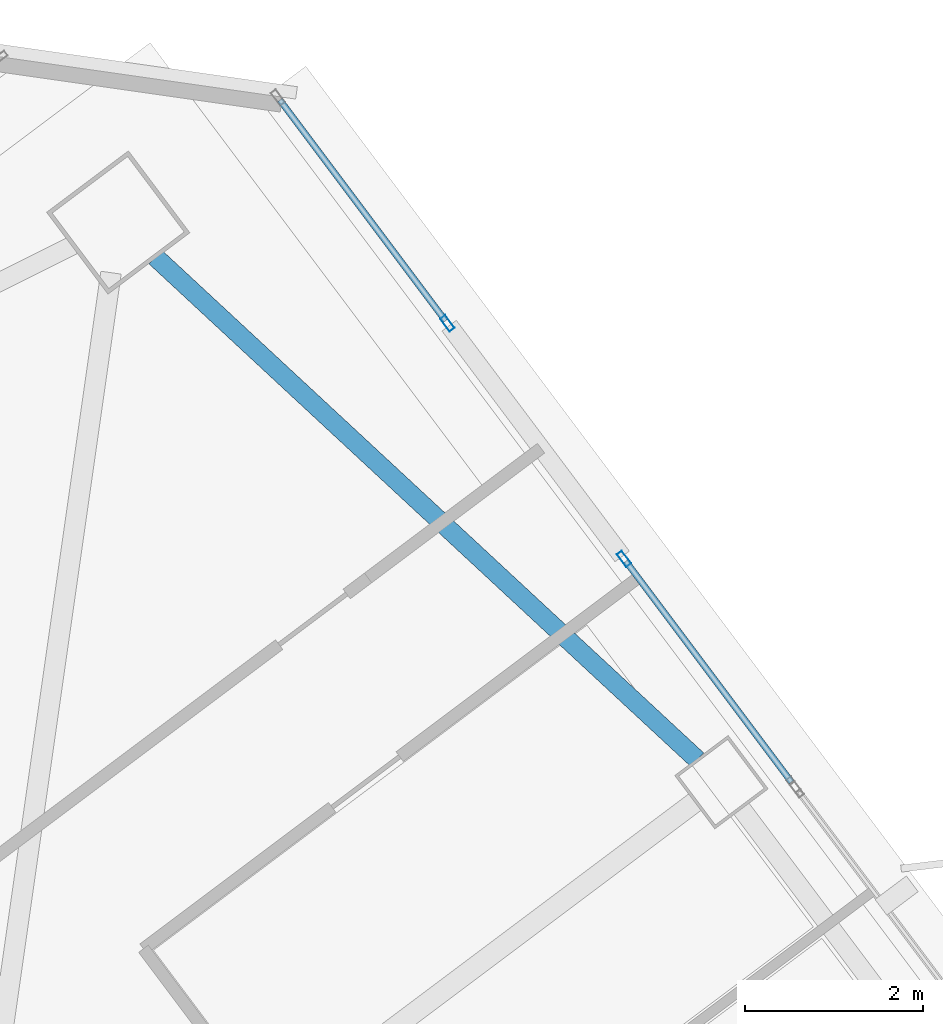
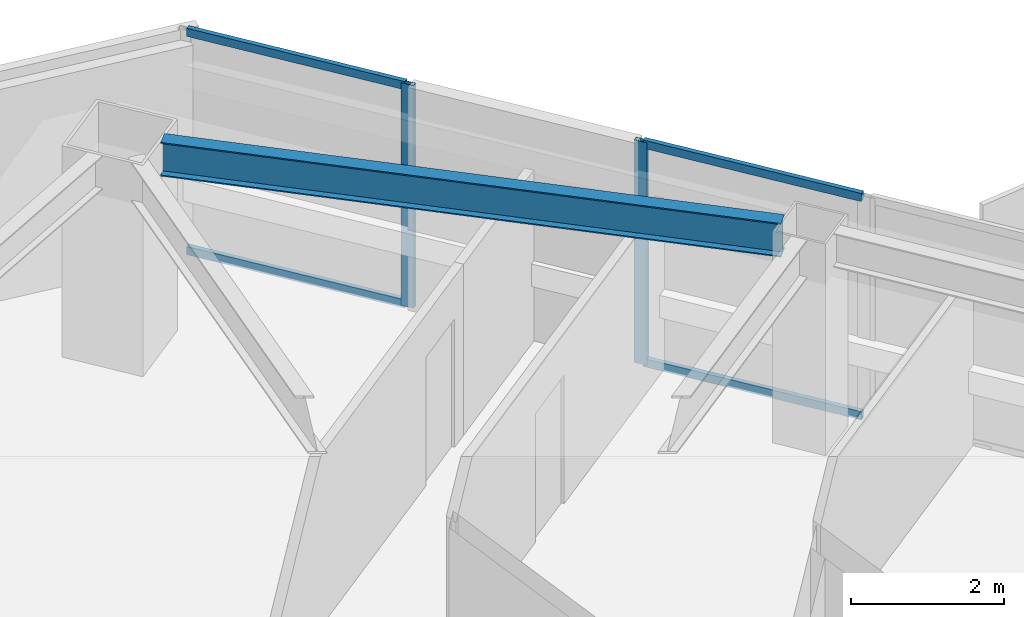
# One storey, part 33 of 46: 6 members, 1 beam, 2 elements without a shape of their own.
"""IFC4 building model written with IfcOpenShell, lengths in metres."""

from ifc_helpers import new_model, si_unit, direction, frame, origin, origin_2d, place, context, subcontext, project, spatial, hollow_rectangle, i_section, extrude, material, material_profile, profile_set, type_object, element, aggregate, save


model = new_model("IFC4")

# Units and contexts
model_context = context("Model", 3, precision=1e-05, world=origin(), true_north=direction((0.0, 1.0)))
body_context = subcontext(model_context, "Body", "Model", "MODEL_VIEW")
ifc_project = project(units=[si_unit("LENGTHUNIT", "METRE"), si_unit("AREAUNIT", "SQUARE_METRE"), si_unit("VOLUMEUNIT", "CUBIC_METRE"), si_unit("PLANEANGLEUNIT", "RADIAN"), si_unit("MASSUNIT", "GRAM", prefix="KILO")], contexts=[model_context])

# Site, building, storey
site_placement = place(None, origin())
site = spatial("IfcSite", under=ifc_project, at=site_placement, CompositionType="ELEMENT")
building_placement = place(site_placement, origin())
building = spatial("IfcBuilding", under=site, at=building_placement, Name="Tashvorn Skyway Center", CompositionType="ELEMENT")
storey_placement = place(building_placement, frame((0.0, 0.0, 167.64990234375)))
storey = spatial("IfcBuildingStorey", under=building, at=storey_placement, Name="L45", CompositionType="ELEMENT", Elevation=167.64990234375)

# Beam
ifc_material_1 = material(Name="Steel ASTM A992 Grade 50", Category="steel")
ifc_material_profile_1 = material_profile(ifc_material_1, i_section(OverallWidth=0.2109375, OverallDepth=0.5390625, WebThickness=0.01171875, FlangeThickness=0.018798828125, at=origin_2d()), Name="W21X73")
ifc_profile_set_1 = profile_set([ifc_material_profile_1], Name="Steel ASTM A992 Grade 50")
beam_type = type_object("IfcBeamType", Name="BM-SPANDREL-W21X73", PredefinedType="SPANDREL", material=ifc_profile_set_1)
beam_placement = place(storey_placement, frame((123.40869140625, 46.26171875, 3.1005859375), z_axis=(-0.733101115618, 0.680119661736, 0.0), x_axis=(-0.680119661736, -0.733101115618, 0.0)))
element("IfcBeam", 1, at=beam_placement, inside=storey, type_object=beam_type, Name="Tower 2 L45 Spandrel Beam 06", PredefinedType="SPANDREL", context=body_context, shape_type="SweptSolid", body=[
    extrude(i_section(OverallWidth=0.2109375, OverallDepth=0.5390625, WebThickness=0.01171875, FlangeThickness=0.018798828125, at=origin_2d()), origin(), (0.0, 0.0, 1.0), 8.308349609375),
])

# Curtain wall, member
ifc_material_2 = material(Name="Thermally broken bronze-anodized aluminium 6063-T6", Category="aluminium")
curtain_wall_type = type_object("IfcCurtainWallType", Name="CW-CW-Z4", PredefinedType="NOTDEFINED", material=ifc_material_2)
curtain_wall_1_placement = place(storey_placement, origin())
curtain_wall_1 = element("IfcCurtainWall", 2, at=curtain_wall_1_placement, inside=storey, type_object=curtain_wall_type, Name="Tower 2 L45 East Unitised Curtain Wall Glazing Group 1", PredefinedType="NOTDEFINED")
ifc_material_profile_2 = material_profile(ifc_material_2, hollow_rectangle(XDim=0.070068359375, YDim=0.179931640625, WallThickness=0.00390625, at=origin_2d()), Name="ALU-MULL-70x180")
ifc_profile_set_2 = profile_set([ifc_material_profile_2], Name="Thermally broken bronze-anodized aluminium 6063-T6")
member_type_1 = type_object("IfcMemberType", Name="CWM-CW-Z4", PredefinedType="MULLION", material=ifc_profile_set_2)
member_1_placement = place(storey_placement, frame((120.59912109375, 51.16796875, 0.0), z_axis=(0.0, 0.0, 1.0), x_axis=(0.799999999998, 0.600000000002, 0.0)))
member_1 = element("IfcMember", 3, at=member_1_placement, type_object=member_type_1, Name="CW-Z4 mullion 2", PredefinedType="MULLION", context=body_context, shape_type="SweptSolid", body=[
    extrude(hollow_rectangle(XDim=0.070068359375, YDim=0.179931640625, WallThickness=0.00390625, at=origin_2d()), origin(), (0.0, 0.0, 1.0), 3.550048828125),
])

curtain_wall_2_placement = place(storey_placement, origin())
curtain_wall_2 = element("IfcCurtainWall", 4, at=curtain_wall_2_placement, inside=storey, type_object=curtain_wall_type, Name="Tower 2 L45 East Unitised Curtain Wall Glazing Group 2", PredefinedType="NOTDEFINED")
member_2_placement = place(storey_placement, frame((122.5849609375, 48.52001953125, 0.0), z_axis=(0.0, 0.0, 1.0), x_axis=(0.799999999998, 0.600000000002, 0.0)))
member_2 = element("IfcMember", 5, at=member_2_placement, type_object=member_type_1, Name="CW-Z4 mullion 1", PredefinedType="MULLION", context=body_context, shape_type="SweptSolid", body=[
    extrude(hollow_rectangle(XDim=0.070068359375, YDim=0.179931640625, WallThickness=0.00390625, at=origin_2d()), origin(), (0.0, 0.0, 1.0), 3.550048828125),
])

# Member
ifc_material_profile_3 = material_profile(ifc_material_2, hollow_rectangle(XDim=0.070068359375, YDim=0.1298828125, WallThickness=0.00390625, at=origin_2d()), Name="ALU-TRAN-70x130")
ifc_profile_set_3 = profile_set([ifc_material_profile_3], Name="Thermally broken bronze-anodized aluminium 6063-T6")
member_type_2 = type_object("IfcMemberType", Name="CWT-CW-Z4", PredefinedType="USERDEFINED", material=ifc_profile_set_3)
member_3_placement = place(storey_placement, frame((118.718017578125, 53.676025390625, 0.03515625), z_axis=(0.599974797295, -0.800018901408, 0.0), x_axis=(0.800018901408, 0.599974797295, 0.0)))
member_3 = element("IfcMember", 6, at=member_3_placement, type_object=member_type_2, Name="CW-Z4 transom 1.1", ObjectType="TRANSOM", PredefinedType="USERDEFINED", context=body_context, shape_type="SweptSolid", body=[
    extrude(hollow_rectangle(XDim=0.070068359375, YDim=0.1298828125, WallThickness=0.00390625, at=origin_2d()), origin(), (0.0, 0.0, 1.0), 3.099853515625),
])

member_4_placement = place(storey_placement, frame((118.718017578125, 53.676025390625, 3.51513671875), z_axis=(0.599974797295, -0.800018901408, 0.0), x_axis=(0.800018901408, 0.599974797295, 0.0)))
member_4 = element("IfcMember", 7, at=member_4_placement, type_object=member_type_2, Name="CW-Z4 transom 1.2", ObjectType="TRANSOM", PredefinedType="USERDEFINED", context=body_context, shape_type="SweptSolid", body=[
    extrude(hollow_rectangle(XDim=0.070068359375, YDim=0.1298828125, WallThickness=0.00390625, at=origin_2d()), origin(), (0.0, 0.0, 1.0), 3.099853515625),
])

aggregate(curtain_wall_1, [member_1, member_3, member_4])

member_5_placement = place(storey_placement, frame((122.60595703125, 48.491943359375, 0.03515625), z_axis=(0.600025200918, -0.799981098691, 0.0), x_axis=(0.799981098691, 0.600025200918, 0.0)))
member_5 = element("IfcMember", 8, at=member_5_placement, type_object=member_type_2, Name="CW-Z4 transom 1.1", ObjectType="TRANSOM", PredefinedType="USERDEFINED", context=body_context, shape_type="SweptSolid", body=[
    extrude(hollow_rectangle(XDim=0.070068359375, YDim=0.1298828125, WallThickness=0.00390625, at=origin_2d()), origin(), (0.0, 0.0, 1.0), 3.10009765625),
])

member_6_placement = place(storey_placement, frame((122.60595703125, 48.491943359375, 3.51513671875), z_axis=(0.600025200918, -0.799981098691, 0.0), x_axis=(0.799981098691, 0.600025200918, 0.0)))
member_6 = element("IfcMember", 9, at=member_6_placement, type_object=member_type_2, Name="CW-Z4 transom 1.2", ObjectType="TRANSOM", PredefinedType="USERDEFINED", context=body_context, shape_type="SweptSolid", body=[
    extrude(hollow_rectangle(XDim=0.070068359375, YDim=0.1298828125, WallThickness=0.00390625, at=origin_2d()), origin(), (0.0, 0.0, 1.0), 3.10009765625),
])

aggregate(curtain_wall_2, [member_2, member_5, member_6])

save(model, "model.ifc")
